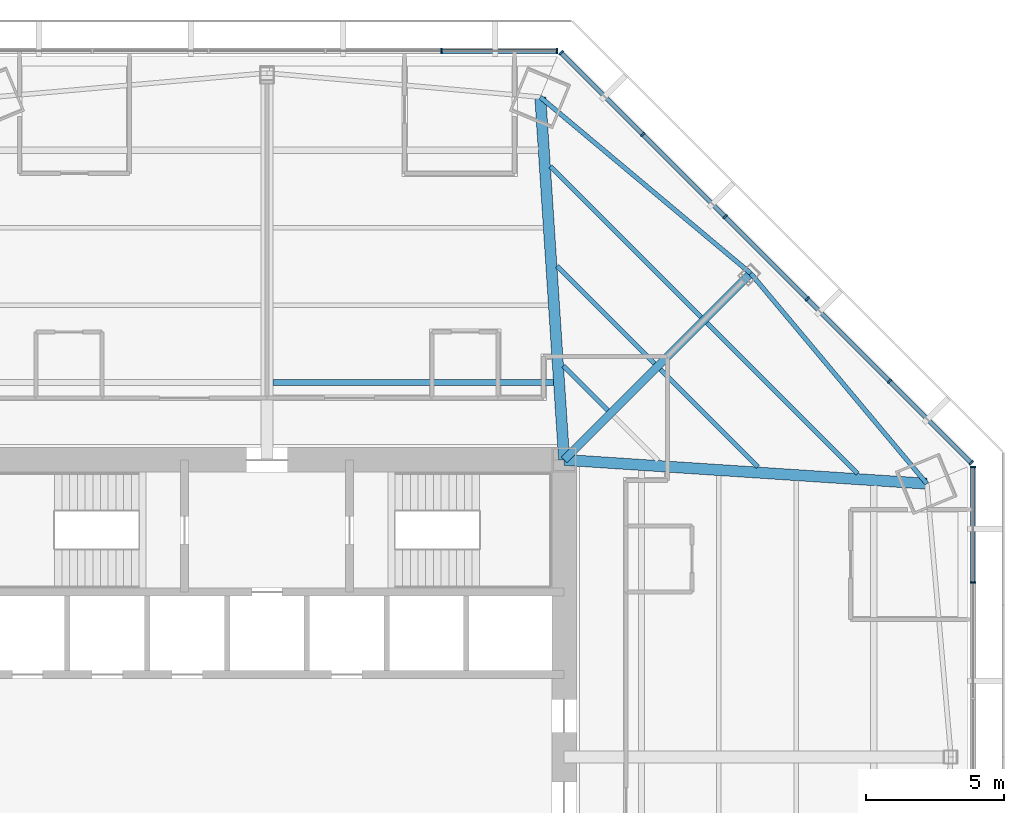
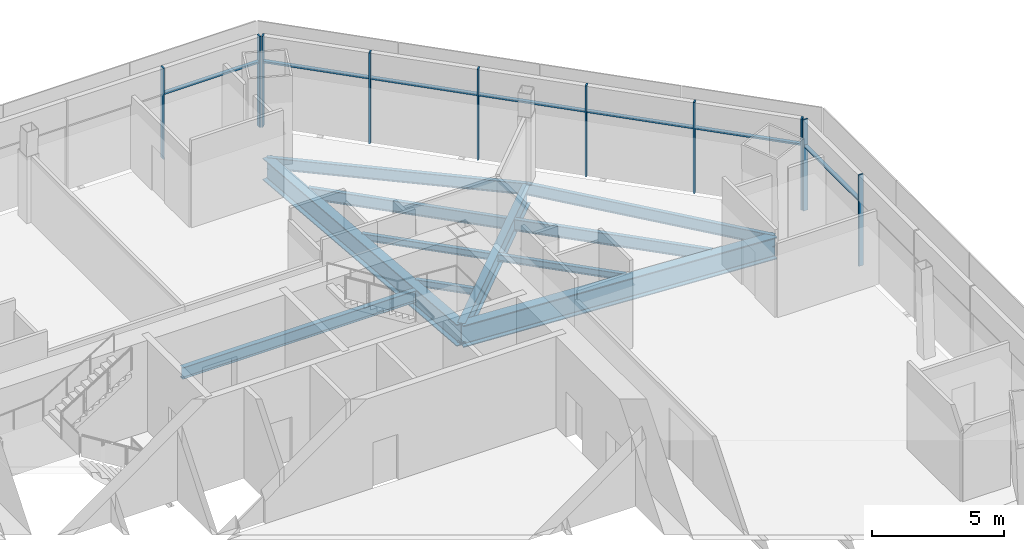
# One storey, part 8 of 18: 17 members, 11 beams, 3 elements without a shape of their own.
"""IFC4 building model written with IfcOpenShell, lengths in metres."""

from ifc_helpers import new_model, si_unit, direction, frame, origin, origin_2d, place, context, subcontext, project, spatial, rectangle, i_section, extrude, source, transform, mapped, material, material_profile, profile_set, type_object, type_shapes, element, aggregate, save


model = new_model("IFC4")

# Units and contexts
model_context = context("Model", 3, precision=1e-05, world=origin(), true_north=direction((0.0, 1.0)))
body_context = subcontext(model_context, "Body", "Model", "MODEL_VIEW")
ifc_project = project(units=[si_unit("LENGTHUNIT", "METRE"), si_unit("AREAUNIT", "SQUARE_METRE"), si_unit("VOLUMEUNIT", "CUBIC_METRE"), si_unit("PLANEANGLEUNIT", "RADIAN"), si_unit("MASSUNIT", "GRAM", prefix="KILO")], contexts=[model_context])

# Site, building, storey
site_placement = place(None, origin())
site = spatial("IfcSite", under=ifc_project, at=site_placement, CompositionType="ELEMENT")
building_placement = place(site_placement, origin())
building = spatial("IfcBuilding", under=site, at=building_placement, Name="Mashrafa Tower", CompositionType="ELEMENT")
storey_placement = place(building_placement, frame((0.0, 0.0, 83.39990234375)))
storey = spatial("IfcBuildingStorey", under=building, at=storey_placement, Name="L18", CompositionType="ELEMENT", Elevation=83.39990234375)

# Beams
ifc_material_1 = material(Name="Steel ASTM A992", Category="steel")
ifc_material_profile_1 = material_profile(ifc_material_1, i_section(OverallWidth=0.164794921875, OverallDepth=0.309814453125, WebThickness=0.005859375, FlangeThickness=0.009765625, FilletRadius=0.007568359375, at=origin_2d()), Name="W12X26")
ifc_profile_set_1 = profile_set([ifc_material_profile_1], Name="Steel ASTM A992")
beam_type_1 = type_object("IfcBeamType", Name="Beam W12X26", PredefinedType="BEAM", material=ifc_profile_set_1)
beam_1_placement = place(storey_placement, frame((10.538330078125, 17.840576171875, -0.31982421875), z_axis=(0.707082420455, -0.707131141079, 0.0), x_axis=(0.707131141079, 0.707082420455, 0.0)))
element("IfcBeam", 1, at=beam_1_placement, inside=storey, type_object=beam_type_1, Name="Floor beam L18 036", PredefinedType="BEAM", context=body_context, shape_type="SweptSolid", body=[
    extrude(i_section(OverallWidth=0.164794921875, OverallDepth=0.309814453125, WebThickness=0.005859375, FlangeThickness=0.009765625, FilletRadius=0.007568359375, at=origin_2d()), origin(), (0.0, 0.0, 1.0), 5.010986328125),
])
beam_2_placement = place(storey_placement, frame((10.77685546875, 14.212646484375, -0.31982421875), z_axis=(0.707106781187, -0.707106781187, 0.0), x_axis=(0.707106781187, 0.707106781187, 0.0)))
element("IfcBeam", 2, at=beam_2_placement, inside=storey, type_object=beam_type_1, Name="Floor beam L18 038", PredefinedType="BEAM", context=body_context, shape_type="SweptSolid", body=[
    extrude(i_section(OverallWidth=0.164794921875, OverallDepth=0.309814453125, WebThickness=0.005859375, FlangeThickness=0.009765625, FilletRadius=0.007568359375, at=origin_2d()), origin(), (0.0, 0.0, 1.0), 2.277099609375),
])
beam_3_placement = place(storey_placement, frame((14.297119140625, 14.08154296875, -0.31982421875), z_axis=(0.707131141079, -0.707082420455, 0.0), x_axis=(0.707082420455, 0.707131141079, 0.0)))
element("IfcBeam", 3, at=beam_3_placement, inside=storey, type_object=beam_type_1, Name="Floor beam L18 045", PredefinedType="BEAM", context=body_context, shape_type="SweptSolid", body=[
    extrude(i_section(OverallWidth=0.164794921875, OverallDepth=0.309814453125, WebThickness=0.005859375, FlangeThickness=0.009765625, FilletRadius=0.007568359375, at=origin_2d()), origin(), (0.0, 0.0, 1.0), 5.010986328125),
])
ifc_material_2 = material(Name="Steel ASTM A992", Category="steel")
ifc_material_profile_2 = material_profile(ifc_material_2, i_section(OverallWidth=0.165771484375, OverallDepth=0.5283203125, WebThickness=0.009765625, FlangeThickness=0.013671875, FilletRadius=0.012939453125, at=origin_2d()), Name="W21X50")
ifc_profile_set_2 = profile_set([ifc_material_profile_2], Name="Steel ASTM A992")
beam_type_2 = type_object("IfcBeamType", Name="Beam W21X50", PredefinedType="BEAM", material=ifc_profile_set_2)
for number, where, z_axis, x_axis, name in (
    (4, (10.2998046875, 21.46826171875, -0.428955078125), (0.70712254248, -0.707091019542, 0.0), (0.707091019542, 0.70712254248, 0.0), "Floor beam L18 034"),
    (5, (15.991943359375, 15.7763671875, -0.428955078125), (0.707091019542, -0.70712254248, 0.0), (0.70712254248, 0.707091019542, 0.0), "Floor beam L18 048"),
):
    element("IfcBeam", number, at=place(storey_placement, frame(where, z_axis=z_axis, x_axis=x_axis)), inside=storey, type_object=beam_type_2, Name=name, PredefinedType="BEAM", context=body_context, shape_type="SweptSolid", body=[
        extrude(i_section(OverallWidth=0.165771484375, OverallDepth=0.5283203125, WebThickness=0.009765625, FlangeThickness=0.013671875, FilletRadius=0.012939453125, at=origin_2d()), origin(), (0.0, 0.0, 1.0), 7.744873046875),
    ])
for number, where, z_axis, x_axis, name in (
    (6, (17.578857421875, 17.578857421875, -0.428955078125), (-0.766639681556, 0.642077564367, 0.0), (-0.642077564367, -0.766639681556, 0.0), "Spandrel beam L18 085"),
    (7, (23.98193359375, 9.93359375, -0.428955078125), (-0.642077564367, 0.766639681556, 0.0), (-0.766639681556, -0.642077564367, 0.0), "Spandrel beam L18 087"),
):
    element("IfcBeam", number, at=place(storey_placement, frame(where, z_axis=z_axis, x_axis=x_axis)), inside=storey, type_object=beam_type_2, Name=name, PredefinedType="BEAM", context=body_context, shape_type="SweptSolid", body=[
        extrude(i_section(OverallWidth=0.165771484375, OverallDepth=0.5283203125, WebThickness=0.009765625, FlangeThickness=0.013671875, FilletRadius=0.012939453125, at=origin_2d()), origin(), (0.0, 0.0, 1.0), 9.972412109375),
    ])
ifc_material_3 = material(Name="Steel ASTM A992", Category="steel")
ifc_material_profile_3 = material_profile(ifc_material_3, i_section(OverallWidth=0.209228515625, OverallDepth=0.533447265625, WebThickness=0.01025390625, FlangeThickness=0.015625, FilletRadius=0.012939453125, at=origin_2d()), Name="W21X62")
ifc_profile_set_3 = profile_set([ifc_material_profile_3], Name="Steel ASTM A992")
beam_type_3 = type_object("IfcBeamType", Name="Beam W21X62", PredefinedType="BEAM", material=ifc_profile_set_3)
beam_4_placement = place(storey_placement, frame((0.212158203125, 13.612060546875, -0.431640625), z_axis=(1.0, 0.0, 0.0), x_axis=(0.0, 1.0, 0.0)))
element("IfcBeam", 8, at=beam_4_placement, inside=storey, type_object=beam_type_3, Name="Floor beam L18 029", PredefinedType="BEAM", context=body_context, shape_type="SweptSolid", body=[
    extrude(i_section(OverallWidth=0.209228515625, OverallDepth=0.533447265625, WebThickness=0.01025390625, FlangeThickness=0.015625, FilletRadius=0.012939453125, at=origin_2d()), origin(), (0.0, 0.0, 1.0), 10.201904296875),
])
ifc_material_4 = material(Name="Steel ASTM A992", Category="steel")
ifc_material_profile_4 = material_profile(ifc_material_4, i_section(OverallWidth=0.3046875, OverallDepth=0.911865234375, WebThickness=0.015869140625, FlangeThickness=0.02392578125, FilletRadius=0.01904296875, at=origin_2d()), Name="W36X150")
ifc_profile_set_4 = profile_set([ifc_material_profile_4], Name="Steel ASTM A992")
beam_type_4 = type_object("IfcBeamType", Name="Beam W36X150", PredefinedType="BEAM", material=ifc_profile_set_4)
beam_5_placement = place(storey_placement, frame((10.800048828125, 10.800048828125, -0.620849609375), z_axis=(0.707106781187, 0.707106781187, 0.0), x_axis=(-0.707106781187, 0.707106781187, 0.0)))
element("IfcBeam", 9, at=beam_5_placement, inside=storey, type_object=beam_type_4, Name="Radial girder L18 071", PredefinedType="BEAM", context=body_context, shape_type="SweptSolid", body=[
    extrude(i_section(OverallWidth=0.3046875, OverallDepth=0.911865234375, WebThickness=0.015869140625, FlangeThickness=0.02392578125, FilletRadius=0.01904296875, at=origin_2d()), origin(), (0.0, 0.0, 1.0), 9.586669921875),
])
ifc_material_5 = material(Name="Steel ASTM A992", Category="steel")
ifc_material_profile_5 = material_profile(ifc_material_5, i_section(OverallWidth=0.4013671875, OverallDepth=1.010986328125, WebThickness=0.023681640625, FlangeThickness=0.0419921875, FilletRadius=0.02001953125, at=origin_2d()), Name="W40X297")
ifc_profile_set_5 = profile_set([ifc_material_profile_5], Name="Steel ASTM A992")
beam_type_5 = type_object("IfcBeamType", Name="Beam W40X297", PredefinedType="BEAM", material=ifc_profile_set_5)
for number, where, z_axis, x_axis, name in (
    (10, (10.800048828125, 10.800048828125, -0.67041015625), (-0.065589205505, 0.997846709731, 0.0), (-0.997846709731, -0.065589205505, 0.0), "Radial girder L18 070"),
    (11, (10.800048828125, 10.800048828125, -0.67041015625), (0.997846709731, -0.065589205505, 0.0), (0.065589205505, 0.997846709731, 0.0), "Radial girder L18 072"),
):
    element("IfcBeam", number, at=place(storey_placement, frame(where, z_axis=z_axis, x_axis=x_axis)), inside=storey, type_object=beam_type_5, Name=name, PredefinedType="BEAM", context=body_context, shape_type="SweptSolid", body=[
        extrude(i_section(OverallWidth=0.4013671875, OverallDepth=1.010986328125, WebThickness=0.023681640625, FlangeThickness=0.0419921875, FilletRadius=0.02001953125, at=origin_2d()), origin(), (0.0, 0.0, 1.0), 13.21044921875),
    ])

# Curtain wall, members
ifc_material_6 = material(Name="Unitised aluminium curtain wall", Category="aluminium")
curtain_wall_type = type_object("IfcCurtainWallType", Name="Office curtain wall, zone 1 CW-A 200 deep", PredefinedType="NOTDEFINED", material=ifc_material_6)
curtain_wall_1_placement = place(storey_placement, origin())
curtain_wall_1 = element("IfcCurtainWall", 12, at=curtain_wall_1_placement, inside=storey, type_object=curtain_wall_type, Name="Office curtain wall, zone 1 L18 east", PredefinedType="NOTDEFINED")
ifc_material_7 = material(Name="Extruded aluminium mullion", Category="aluminium")
ifc_material_profile_6 = material_profile(ifc_material_7, rectangle(XDim=0.199951171875, YDim=0.06494140625, at=origin_2d()), Name="Mullion 65x200")
ifc_profile_set_6 = profile_set([ifc_material_profile_6], Name="Extruded aluminium mullion")
member_type_1 = type_object("IfcMemberType", Name="Mullion CW-A 65 x 200", PredefinedType="MULLION", material=ifc_profile_set_6)
shared_shape_1 = source(origin(), body_context, "Body", "SweptSolid", [
    extrude(rectangle(XDim=0.199951171875, YDim=0.06494140625, at=origin_2d()), origin(), (0.0, 0.0, 1.0), 4.2001953125),
])
type_shapes(member_type_1, [shared_shape_1])
member_1_placement = place(storey_placement, frame((25.655517578125, 6.34521484375, 0.0), z_axis=(0.0, 0.0, 1.0), x_axis=(-1.0, 0.0, 0.0)))
member_1 = element("IfcMember", 13, at=member_1_placement, type_object=member_type_1, Name="CW-A mullion 5", PredefinedType="MULLION", context=body_context, shape_type="MappedRepresentation", body=[
    mapped(shared_shape_1, transform((0.0, 0.0, 0.0))),
])
member_2_placement = place(storey_placement, frame((25.655517578125, 10.54296875, 0.0), z_axis=(0.0, 0.0, 1.0), x_axis=(-1.0, 0.0, 0.0)))
member_2 = element("IfcMember", 14, at=member_2_placement, type_object=member_type_1, Name="CW-A mullion 6", PredefinedType="MULLION", context=body_context, shape_type="MappedRepresentation", body=[
    mapped(shared_shape_1, transform((0.0, 0.0, 0.0))),
])

curtain_wall_2_placement = place(storey_placement, origin())
curtain_wall_2 = element("IfcCurtainWall", 15, at=curtain_wall_2_placement, inside=storey, type_object=curtain_wall_type, Name="Office curtain wall, zone 1 L18 north-east", PredefinedType="NOTDEFINED")
member_3_placement = place(storey_placement, frame((25.59619140625, 10.686279296875, 0.0), z_axis=(0.0, 0.0, 1.0), x_axis=(-0.707106781187, -0.707106781187, 0.0)))
member_3 = element("IfcMember", 16, at=member_3_placement, type_object=member_type_1, Name="CW-A mullion 1", PredefinedType="MULLION", context=body_context, shape_type="MappedRepresentation", body=[
    mapped(shared_shape_1, transform((0.0, 0.0, 0.0))),
])
member_4_placement = place(storey_placement, frame((22.6279296875, 13.654296875, 0.0), z_axis=(0.0, 0.0, 1.0), x_axis=(-0.707106781187, -0.707106781187, 0.0)))
member_4 = element("IfcMember", 17, at=member_4_placement, type_object=member_type_1, Name="CW-A mullion 2", PredefinedType="MULLION", context=body_context, shape_type="MappedRepresentation", body=[
    mapped(shared_shape_1, transform((0.0, 0.0, 0.0))),
])
member_5_placement = place(storey_placement, frame((19.63671875, 16.6455078125, 0.0), z_axis=(0.0, 0.0, 1.0), x_axis=(-0.707106781187, -0.707106781187, 0.0)))
member_5 = element("IfcMember", 18, at=member_5_placement, type_object=member_type_1, Name="CW-A mullion 3", PredefinedType="MULLION", context=body_context, shape_type="MappedRepresentation", body=[
    mapped(shared_shape_1, transform((0.0, 0.0, 0.0))),
])
member_6_placement = place(storey_placement, frame((16.6455078125, 19.63671875, 0.0), z_axis=(0.0, 0.0, 1.0), x_axis=(-0.707106781187, -0.707106781187, 0.0)))
member_6 = element("IfcMember", 19, at=member_6_placement, type_object=member_type_1, Name="CW-A mullion 4", PredefinedType="MULLION", context=body_context, shape_type="MappedRepresentation", body=[
    mapped(shared_shape_1, transform((0.0, 0.0, 0.0))),
])
member_7_placement = place(storey_placement, frame((13.654296875, 22.6279296875, 0.0), z_axis=(0.0, 0.0, 1.0), x_axis=(-0.707106781187, -0.707106781187, 0.0)))
member_7 = element("IfcMember", 20, at=member_7_placement, type_object=member_type_1, Name="CW-A mullion 5", PredefinedType="MULLION", context=body_context, shape_type="MappedRepresentation", body=[
    mapped(shared_shape_1, transform((0.0, 0.0, 0.0))),
])
member_8_placement = place(storey_placement, frame((10.686279296875, 25.59619140625, 0.0), z_axis=(0.0, 0.0, 1.0), x_axis=(-0.707106781187, -0.707106781187, 0.0)))
member_8 = element("IfcMember", 21, at=member_8_placement, type_object=member_type_1, Name="CW-A mullion 6", PredefinedType="MULLION", context=body_context, shape_type="MappedRepresentation", body=[
    mapped(shared_shape_1, transform((0.0, 0.0, 0.0))),
])

curtain_wall_3_placement = place(storey_placement, origin())
curtain_wall_3 = element("IfcCurtainWall", 22, at=curtain_wall_3_placement, inside=storey, type_object=curtain_wall_type, Name="Office curtain wall, zone 1 L18 north", PredefinedType="NOTDEFINED")
member_9_placement = place(storey_placement, frame((10.54296875, 25.655517578125, 0.0), z_axis=(0.0, 0.0, 1.0), x_axis=(0.0, -1.0, 0.0)))
member_9 = element("IfcMember", 23, at=member_9_placement, type_object=member_type_1, Name="CW-A mullion 1", PredefinedType="MULLION", context=body_context, shape_type="MappedRepresentation", body=[
    mapped(shared_shape_1, transform((0.0, 0.0, 0.0))),
])
member_10_placement = place(storey_placement, frame((6.34521484375, 25.655517578125, 0.0), z_axis=(0.0, 0.0, 1.0), x_axis=(0.0, -1.0, 0.0)))
member_10 = element("IfcMember", 24, at=member_10_placement, type_object=member_type_1, Name="CW-A mullion 2", PredefinedType="MULLION", context=body_context, shape_type="MappedRepresentation", body=[
    mapped(shared_shape_1, transform((0.0, 0.0, 0.0))),
])

# Member
ifc_material_8 = material(Name="Extruded aluminium transom", Category="aluminium")
ifc_material_profile_7 = material_profile(ifc_material_8, rectangle(XDim=0.159912109375, YDim=0.080078125, at=origin_2d()), Name="Transom 80x160")
ifc_profile_set_7 = profile_set([ifc_material_profile_7], Name="Extruded aluminium transom")
member_type_2 = type_object("IfcMemberType", Name="Transom CW-A 80 x 160", PredefinedType="MULLION", material=ifc_profile_set_7)
shared_shape_2 = source(origin(), body_context, "Body", "SweptSolid", [
    extrude(rectangle(XDim=0.159912109375, YDim=0.080078125, at=origin_2d()), origin(), (0.0, 0.0, 1.0), 4.1328125),
])
member_11_placement = place(storey_placement, frame((25.655517578125, 6.377685546875, 3.0), z_axis=(0.0, 1.0, 0.0), x_axis=(-1.0, 0.0, 0.0)))
member_11 = element("IfcMember", 25, at=member_11_placement, type_object=member_type_2, Name="CW-A transom 5", PredefinedType="MULLION", context=body_context, shape_type="MappedRepresentation", body=[
    mapped(shared_shape_2, transform((0.0, 0.0, 0.0))),
])

aggregate(curtain_wall_1, [member_1, member_2, member_11])

member_12_placement = place(storey_placement, frame((10.510498046875, 25.655517578125, 3.0), z_axis=(-1.0, 0.0, 0.0), x_axis=(0.0, -1.0, 0.0)))
member_12 = element("IfcMember", 26, at=member_12_placement, type_object=member_type_2, Name="CW-A transom 1", PredefinedType="MULLION", context=body_context, shape_type="MappedRepresentation", body=[
    mapped(shared_shape_2, transform((0.0, 0.0, 0.0))),
])

aggregate(curtain_wall_3, [member_9, member_10, member_12])

shared_shape_3 = source(origin(), body_context, "Body", "SweptSolid", [
    extrude(rectangle(XDim=0.159912109375, YDim=0.080078125, at=origin_2d()), origin(), (0.0, 0.0, 1.0), 4.165283203125),
])
member_13_placement = place(storey_placement, frame((22.60498046875, 13.67724609375, 3.0), z_axis=(-0.707106781187, 0.707106781187, 0.0), x_axis=(-0.707106781187, -0.707106781187, 0.0)))
member_13 = element("IfcMember", 27, at=member_13_placement, type_object=member_type_2, Name="CW-A transom 2", PredefinedType="MULLION", context=body_context, shape_type="MappedRepresentation", body=[
    mapped(shared_shape_3, transform((0.0, 0.0, 0.0))),
])

member_14_placement = place(storey_placement, frame((19.61376953125, 16.66845703125, 3.0), z_axis=(-0.707106781187, 0.707106781187, 0.0), x_axis=(-0.707106781187, -0.707106781187, 0.0)))
member_14 = element("IfcMember", 28, at=member_14_placement, type_object=member_type_2, Name="CW-A transom 3", PredefinedType="MULLION", context=body_context, shape_type="MappedRepresentation", body=[
    mapped(shared_shape_3, transform((0.0, 0.0, 0.0))),
])

member_15_placement = place(storey_placement, frame((16.62255859375, 19.65966796875, 3.0), z_axis=(-0.707106781187, 0.707106781187, 0.0), x_axis=(-0.707106781187, -0.707106781187, 0.0)))
member_15 = element("IfcMember", 29, at=member_15_placement, type_object=member_type_2, Name="CW-A transom 4", PredefinedType="MULLION", context=body_context, shape_type="MappedRepresentation", body=[
    mapped(shared_shape_3, transform((0.0, 0.0, 0.0))),
])

shared_shape_4 = source(origin(), body_context, "Body", "SweptSolid", [
    extrude(rectangle(XDim=0.159912109375, YDim=0.080078125, at=origin_2d()), origin(), (0.0, 0.0, 1.0), 4.132568359375),
])
type_shapes(member_type_2, [shared_shape_2, shared_shape_3, shared_shape_4])
member_16_placement = place(storey_placement, frame((25.5732421875, 10.709228515625, 3.0), z_axis=(-0.707136318428, 0.707077242712, 0.0), x_axis=(-0.707077242712, -0.707136318428, 0.0)))
member_16 = element("IfcMember", 30, at=member_16_placement, type_object=member_type_2, Name="CW-A transom 1", PredefinedType="MULLION", context=body_context, shape_type="MappedRepresentation", body=[
    mapped(shared_shape_4, transform((0.0, 0.0, 0.0))),
])

member_17_placement = place(storey_placement, frame((13.63134765625, 22.65087890625, 3.0), z_axis=(-0.707077242712, 0.707136318428, 0.0), x_axis=(-0.707136318428, -0.707077242712, 0.0)))
member_17 = element("IfcMember", 31, at=member_17_placement, type_object=member_type_2, Name="CW-A transom 5", PredefinedType="MULLION", context=body_context, shape_type="MappedRepresentation", body=[
    mapped(shared_shape_4, transform((0.0, 0.0, 0.0))),
])

aggregate(curtain_wall_2, [member_3, member_4, member_5, member_6, member_7, member_8, member_16, member_13, member_14, member_15, member_17])

save(model, "model.ifc")
